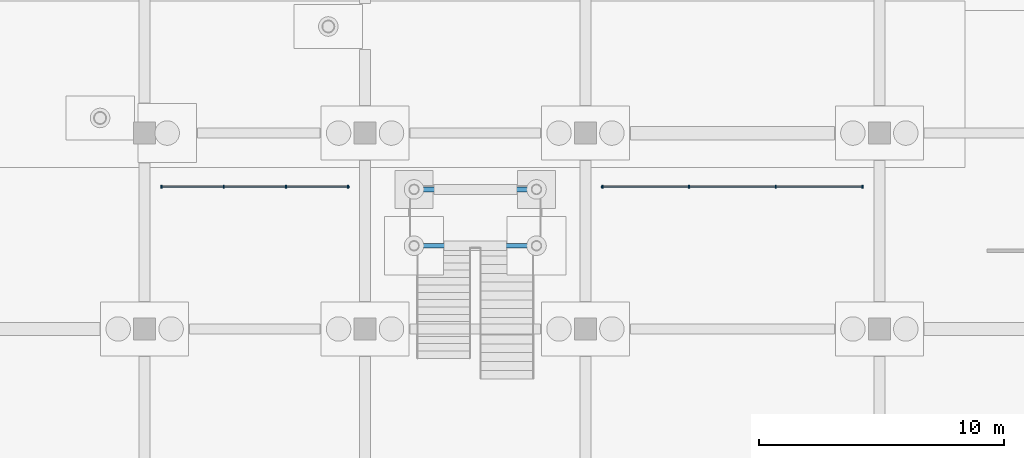
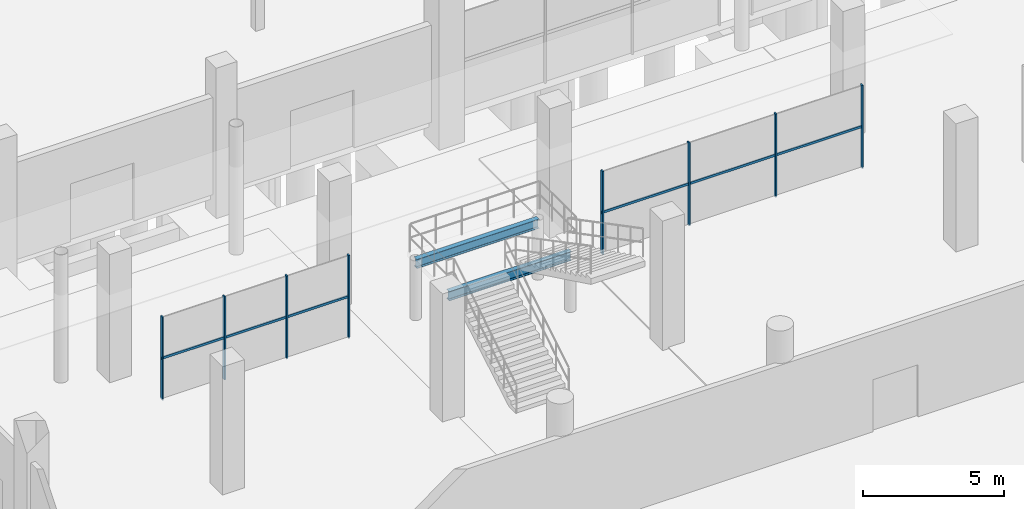
# One storey, part 39 of 98: 10 members, 2 beams, 2 elements without a shape of their own.
"""IFC4 building model written with IfcOpenShell, lengths in metres."""

from ifc_helpers import new_model, si_unit, derived_unit, direction, frame, origin, origin_2d, place, context, subcontext, project, spatial, rectangle, i_section, extrude, material, layer, layer_set, material_profile, profile_set, type_object, element, aggregate, save


model = new_model("IFC4")

# Units and contexts
model_context = context("Model", 3, precision=1e-05, world=origin(), true_north=direction((0.0, 1.0)))
body_context = subcontext(model_context, "Body", "Model", "MODEL_VIEW")
ifc_project = project(units=[si_unit("LENGTHUNIT", "METRE"), si_unit("AREAUNIT", "SQUARE_METRE"), si_unit("VOLUMEUNIT", "CUBIC_METRE"), si_unit("PLANEANGLEUNIT", "RADIAN"), si_unit("MASSUNIT", "GRAM", prefix="KILO"), si_unit("THERMODYNAMICTEMPERATUREUNIT", "KELVIN"), derived_unit("THERMALTRANSMITTANCEUNIT", [(si_unit("POWERUNIT", "WATT"), 1), (si_unit("AREAUNIT", "SQUARE_METRE"), -1), (si_unit("THERMODYNAMICTEMPERATUREUNIT", "KELVIN"), -1)])], contexts=[model_context])

# Site, building, storey
site_placement = place(None, origin())
site = spatial("IfcSite", under=ifc_project, at=site_placement, CompositionType="ELEMENT")
building_placement = place(site_placement, origin())
building = spatial("IfcBuilding", under=site, at=building_placement, Name="Haiyu Intermodal Mobility Hub", CompositionType="ELEMENT")
storey_placement = place(building_placement, origin())
storey = spatial("IfcBuildingStorey", under=building, at=storey_placement, Name="L00", CompositionType="ELEMENT", Elevation=0.0)

# Beams
ifc_material_1 = material(Name="Steel Q355C", Category="steel")
ifc_material_profile_1 = material_profile(ifc_material_1, i_section(OverallWidth=0.199951171875, OverallDepth=0.39990234375, WebThickness=0.008056640625, FlangeThickness=0.012939453125, FilletRadius=0.01611328125, at=origin_2d()), Name="HN400x200x8x13")
ifc_profile_set_1 = profile_set([ifc_material_profile_1], Name="Steel Q355C")
beam_type = type_object("IfcBeamType", Name="BM-SB08", PredefinedType="JOIST", material=ifc_profile_set_1)
for number, where, z_axis, x_axis, name in (
    (1, (89.0, 75.39990234375, 2.364990234375), (1.0, 0.0, 0.0), (0.0, 1.0, 0.0), "BM-MST1-754"),
    (2, (89.0, 77.699951171875, 2.364990234375), (1.0, 0.0, 0.0), (0.0, 1.0, 0.0), "BM-MST1-777"),
):
    element("IfcBeam", number, at=place(storey_placement, frame(where, z_axis=z_axis, x_axis=x_axis)), inside=storey, type_object=beam_type, Name=name, PredefinedType="JOIST", context=body_context, shape_type="SweptSolid", body=[
        extrude(i_section(OverallWidth=0.199951171875, OverallDepth=0.39990234375, WebThickness=0.008056640625, FlangeThickness=0.012939453125, FilletRadius=0.01611328125, at=origin_2d()), origin(), (0.0, 0.0, 1.0), 5.0),
    ])

# Curtain wall, members
ifc_material_2 = material(Name="Low-e laminated insulating glass", Category="glass")
ifc_layer = layer(ifc_material_2, 0.179931640625)
ifc_layer_set = layer_set([ifc_layer], Name="Low-e laminated insulating glass")
curtain_wall_type = type_object("IfcCurtainWallType", Name="CW-CW06", PredefinedType="NOTDEFINED", material=ifc_layer_set)
curtain_wall_1_placement = place(storey_placement, origin())
curtain_wall_1 = element("IfcCurtainWall", 3, at=curtain_wall_1_placement, inside=storey, type_object=curtain_wall_type, Name="Curtain Wall CW-INT-01", PredefinedType="NOTDEFINED")
ifc_material_3 = material(Name="Anodised aluminium 6063-T6", Category="aluminium")
ifc_material_profile_2 = material_profile(ifc_material_3, rectangle(XDim=0.054931640625, YDim=0.125, at=origin_2d()), Name="ALU55x125")
ifc_profile_set_2 = profile_set([ifc_material_profile_2], Name="Anodised aluminium 6063-T6")
member_type_1 = type_object("IfcMemberType", Name="CWM-ML04", PredefinedType="MULLION", material=ifc_profile_set_2)
member_1_placement = place(storey_placement, frame((78.68994140625, 77.800048828125, 0.0), z_axis=(0.0, 0.0, 1.0), x_axis=(1.0, 0.0, 0.0)))
member_1 = element("IfcMember", 4, at=member_1_placement, type_object=member_type_1, Name="CW-INT-01-ML01", PredefinedType="MULLION", context=body_context, shape_type="SweptSolid", body=[
    extrude(rectangle(XDim=0.054931640625, YDim=0.125, at=origin_2d()), origin(), (0.0, 0.0, 1.0), 3.60009765625),
])
member_2_placement = place(storey_placement, frame((81.22998046875, 77.800048828125, 0.0), z_axis=(0.0, 0.0, 1.0), x_axis=(1.0, 0.0, 0.0)))
member_2 = element("IfcMember", 5, at=member_2_placement, type_object=member_type_1, Name="CW-INT-01-ML02", PredefinedType="MULLION", context=body_context, shape_type="SweptSolid", body=[
    extrude(rectangle(XDim=0.054931640625, YDim=0.125, at=origin_2d()), origin(), (0.0, 0.0, 1.0), 3.60009765625),
])
member_3_placement = place(storey_placement, frame((83.77001953125, 77.800048828125, 0.0), z_axis=(0.0, 0.0, 1.0), x_axis=(1.0, 0.0, 0.0)))
member_3 = element("IfcMember", 6, at=member_3_placement, type_object=member_type_1, Name="CW-INT-01-ML03", PredefinedType="MULLION", context=body_context, shape_type="SweptSolid", body=[
    extrude(rectangle(XDim=0.054931640625, YDim=0.125, at=origin_2d()), origin(), (0.0, 0.0, 1.0), 3.60009765625),
])
member_4_placement = place(storey_placement, frame((86.31005859375, 77.800048828125, 0.0), z_axis=(0.0, 0.0, 1.0), x_axis=(1.0, 0.0, 0.0)))
member_4 = element("IfcMember", 7, at=member_4_placement, type_object=member_type_1, Name="CW-INT-01-ML04", PredefinedType="MULLION", context=body_context, shape_type="SweptSolid", body=[
    extrude(rectangle(XDim=0.054931640625, YDim=0.125, at=origin_2d()), origin(), (0.0, 0.0, 1.0), 3.60009765625),
])

curtain_wall_2_placement = place(storey_placement, origin())
curtain_wall_2 = element("IfcCurtainWall", 8, at=curtain_wall_2_placement, inside=storey, type_object=curtain_wall_type, Name="Curtain Wall CW-INT-02", PredefinedType="NOTDEFINED")
member_5_placement = place(storey_placement, frame((96.68994140625, 77.800048828125, 0.0), z_axis=(0.0, 0.0, 1.0), x_axis=(1.0, 0.0, 0.0)))
member_5 = element("IfcMember", 9, at=member_5_placement, type_object=member_type_1, Name="CW-INT-02-ML01", PredefinedType="MULLION", context=body_context, shape_type="SweptSolid", body=[
    extrude(rectangle(XDim=0.054931640625, YDim=0.125, at=origin_2d()), origin(), (0.0, 0.0, 1.0), 3.60009765625),
])
member_6_placement = place(storey_placement, frame((100.22998046875, 77.800048828125, 0.0), z_axis=(0.0, 0.0, 1.0), x_axis=(1.0, 0.0, 0.0)))
member_6 = element("IfcMember", 10, at=member_6_placement, type_object=member_type_1, Name="CW-INT-02-ML02", PredefinedType="MULLION", context=body_context, shape_type="SweptSolid", body=[
    extrude(rectangle(XDim=0.054931640625, YDim=0.125, at=origin_2d()), origin(), (0.0, 0.0, 1.0), 3.60009765625),
])
member_7_placement = place(storey_placement, frame((103.77001953125, 77.800048828125, 0.0), z_axis=(0.0, 0.0, 1.0), x_axis=(1.0, 0.0, 0.0)))
member_7 = element("IfcMember", 11, at=member_7_placement, type_object=member_type_1, Name="CW-INT-02-ML03", PredefinedType="MULLION", context=body_context, shape_type="SweptSolid", body=[
    extrude(rectangle(XDim=0.054931640625, YDim=0.125, at=origin_2d()), origin(), (0.0, 0.0, 1.0), 3.60009765625),
])
member_8_placement = place(storey_placement, frame((107.31005859375, 77.800048828125, 0.0), z_axis=(0.0, 0.0, 1.0), x_axis=(1.0, 0.0, 0.0)))
member_8 = element("IfcMember", 12, at=member_8_placement, type_object=member_type_1, Name="CW-INT-02-ML04", PredefinedType="MULLION", context=body_context, shape_type="SweptSolid", body=[
    extrude(rectangle(XDim=0.054931640625, YDim=0.125, at=origin_2d()), origin(), (0.0, 0.0, 1.0), 3.60009765625),
])

# Member
ifc_material_profile_3 = material_profile(ifc_material_3, rectangle(XDim=0.054931640625, YDim=0.10009765625, at=origin_2d()), Name="ALU55x100")
ifc_profile_set_3 = profile_set([ifc_material_profile_3], Name="Anodised aluminium 6063-T6")
member_type_2 = type_object("IfcMemberType", Name="CWM-TR04", PredefinedType="USERDEFINED", material=ifc_profile_set_3)
member_9_placement = place(storey_placement, frame((78.64990234375, 77.800048828125, 1.800048828125), z_axis=(1.0, 0.0, 0.0), x_axis=(0.0, 1.0, 0.0)))
member_9 = element("IfcMember", 13, at=member_9_placement, type_object=member_type_2, Name="CW-INT-01-TR01", ObjectType="TRANSOM", PredefinedType="USERDEFINED", context=body_context, shape_type="SweptSolid", body=[
    extrude(rectangle(XDim=0.054931640625, YDim=0.10009765625, at=origin_2d()), origin(), (0.0, 0.0, 1.0), 7.7001953125),
])

aggregate(curtain_wall_1, [member_1, member_2, member_3, member_4, member_9])

member_10_placement = place(storey_placement, frame((96.64990234375, 77.800048828125, 1.800048828125), z_axis=(1.0, 0.0, 0.0), x_axis=(0.0, 1.0, 0.0)))
member_10 = element("IfcMember", 14, at=member_10_placement, type_object=member_type_2, Name="CW-INT-02-TR01", ObjectType="TRANSOM", PredefinedType="USERDEFINED", context=body_context, shape_type="SweptSolid", body=[
    extrude(rectangle(XDim=0.054931640625, YDim=0.10009765625, at=origin_2d()), origin(), (0.0, 0.0, 1.0), 10.7001953125),
])

aggregate(curtain_wall_2, [member_5, member_6, member_7, member_8, member_10])

save(model, "model.ifc")
